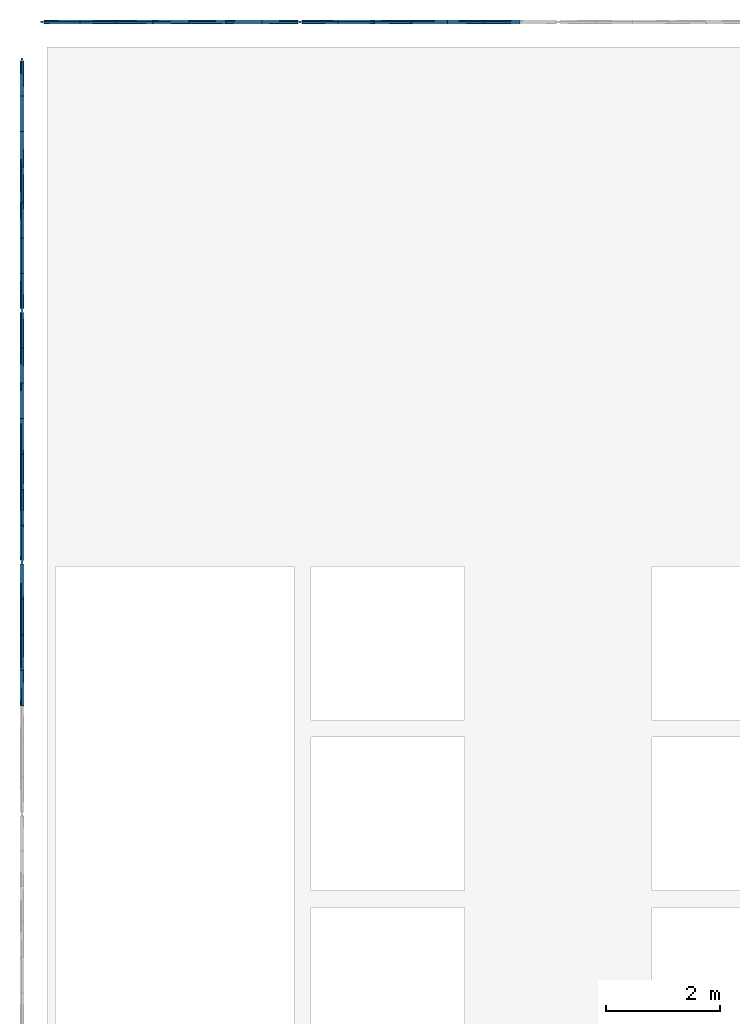
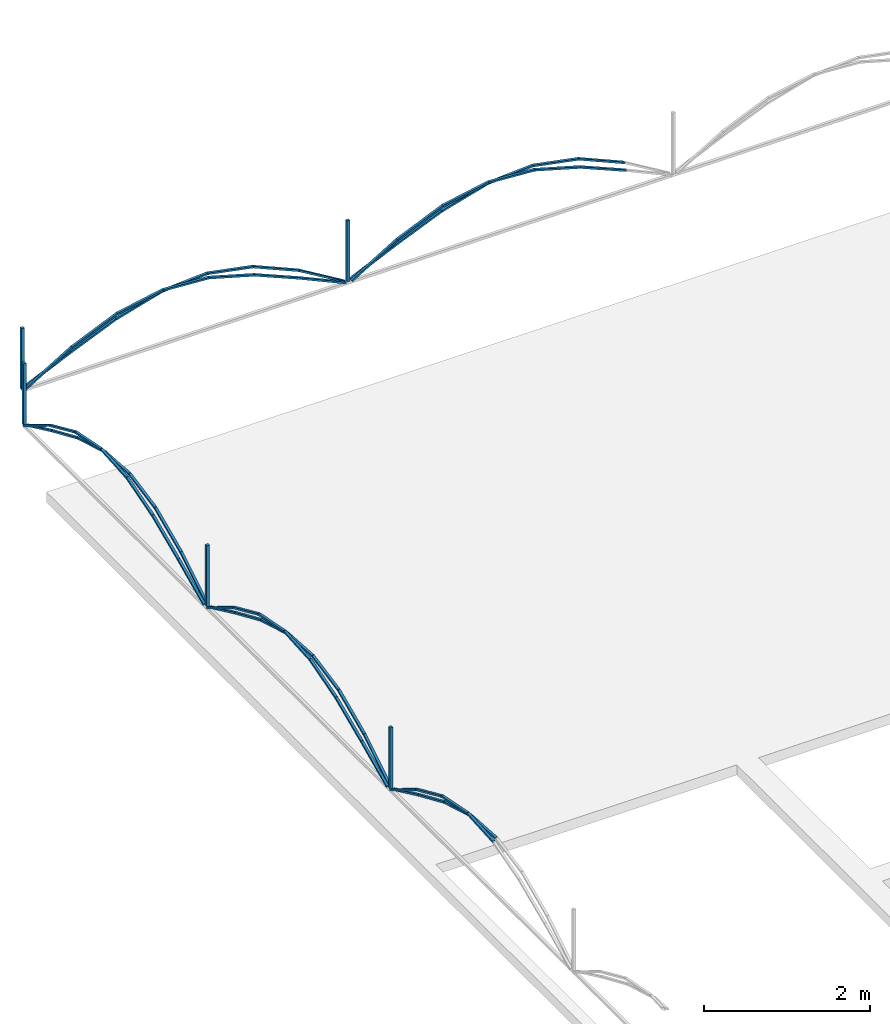
# One storey, part 7 of 9: 67 discrete accessories.
"""IFC4 building model written with IfcOpenShell, lengths in metres."""

from ifc_helpers import new_model, si_unit, direction, frame, origin, origin_2d, place, context, subcontext, project, spatial, rectangle, extrude, material, material_profile, profile_set, type_object, element, save


model = new_model("IFC4")

# Units and contexts
model_context = context("Model", 3, precision=1e-05, world=origin(), true_north=direction((0.0, 1.0)))
body_context = subcontext(model_context, "Body", "Model", "MODEL_VIEW")
ifc_project = project(units=[si_unit("LENGTHUNIT", "METRE"), si_unit("AREAUNIT", "SQUARE_METRE"), si_unit("VOLUMEUNIT", "CUBIC_METRE"), si_unit("PLANEANGLEUNIT", "RADIAN"), si_unit("MASSUNIT", "GRAM", prefix="KILO")], contexts=[model_context])

# Site, building, storey
site_placement = place(None, origin())
site = spatial("IfcSite", under=ifc_project, at=site_placement, CompositionType="ELEMENT")
building_placement = place(site_placement, origin())
building = spatial("IfcBuilding", under=site, at=building_placement, Name="Hortulan Conservatory and Botanical Research Centre", CompositionType="ELEMENT")
storey_placement = place(building_placement, frame((0.0, 0.0, 74.25)))
storey = spatial("IfcBuildingStorey", under=building, at=storey_placement, Name="MAIN ROOF", CompositionType="ELEMENT", Elevation=74.25)

# Discrete accessories
ifc_material = material(Name="Bronze-charcoal painted wrought iron", Category="metal")
ifc_material_profile_1 = material_profile(ifc_material, rectangle(XDim=0.0400390625, YDim=0.0400390625, at=origin_2d()), Name="Square bar 40x40")
ifc_profile_set_1 = profile_set([ifc_material_profile_1], Name="Bronze-charcoal painted wrought iron")
discrete_accessory_type_1 = type_object("IfcDiscreteAccessoryType", Name="Cresting Post 40x40", PredefinedType="USERDEFINED", material=ifc_profile_set_1)
for number, where, z_axis, x_axis, name in (
    (1, (8.56396484375, 17.9287109375, 1.43994140625), (0.0, 0.0, 1.0), (1.0, 0.0, 0.0), "Cresting post"),
    (2, (8.56396484375, 22.357421875, 1.43994140625), (0.0, 0.0, 1.0), (1.0, 0.0, 0.0), "Cresting post"),
    (3, (8.56396484375, 26.785888671875, 1.43994140625), (0.0, 0.0, 1.0), (1.0, 0.0, 0.0), "Cresting post"),
    (4, (8.9140625, 27.43603515625, 1.43994140625), (0.0, 0.0, 1.0), (1.0, 0.0, 0.0), "Cresting post"),
    (5, (13.45703125, 27.43603515625, 1.43994140625), (0.0, 0.0, 1.0), (1.0, 0.0, 0.0), "Cresting post"),
):
    element("IfcDiscreteAccessory", number, at=place(storey_placement, frame(where, z_axis=z_axis, x_axis=x_axis)), inside=storey, type_object=discrete_accessory_type_1, Name=name, ObjectType="Cresting post", PredefinedType="USERDEFINED", context=body_context, shape_type="SweptSolid", body=[
        extrude(rectangle(XDim=0.0400390625, YDim=0.0400390625, at=origin_2d()), origin(), (0.0, 0.0, 1.0), 0.900146484375),
    ])
ifc_material_profile_2 = material_profile(ifc_material, rectangle(XDim=0.034912109375, YDim=0.02490234375, at=origin_2d()), Name="Flat bar 35x25")
ifc_profile_set_2 = profile_set([ifc_material_profile_2], Name="Bronze-charcoal painted wrought iron")
discrete_accessory_type_2 = type_object("IfcDiscreteAccessoryType", Name="Whiplash Bar 35x25", PredefinedType="USERDEFINED", material=ifc_profile_set_2)
discrete_accessory_1_placement = place(storey_placement, frame((8.58154296875, 15.40380859375, 2.22412109375), z_axis=(0.0, 0.997774733056, -0.066675198357), x_axis=(-1.0, 0.0, 0.0)))
element("IfcDiscreteAccessory", 6, at=discrete_accessory_1_placement, inside=storey, type_object=discrete_accessory_type_2, Name="Whiplash bar", ObjectType="Whiplash cresting bar", PredefinedType="USERDEFINED", context=body_context, shape_type="SweptSolid", body=[
    extrude(rectangle(XDim=0.034912109375, YDim=0.02490234375, at=origin_2d()), origin(), (0.0, 0.0, 1.0), 0.62255859375),
])
discrete_accessory_2_placement = place(storey_placement, frame((8.58154296875, 16.02490234375, 2.1826171875), z_axis=(0.0, 0.959623279504, -0.281288395485), x_axis=(-1.0, 0.0, 0.0)))
element("IfcDiscreteAccessory", 7, at=discrete_accessory_2_placement, inside=storey, type_object=discrete_accessory_type_2, Name="Whiplash bar", ObjectType="Whiplash cresting bar", PredefinedType="USERDEFINED", context=body_context, shape_type="SweptSolid", body=[
    extrude(rectangle(XDim=0.034912109375, YDim=0.02490234375, at=origin_2d()), origin(), (0.0, 0.0, 1.0), 0.6474609375),
])
discrete_accessory_3_placement = place(storey_placement, frame((8.58154296875, 16.646240234375, 2.00048828125), z_axis=(0.0, 0.91694967808, -0.399002866995), x_axis=(-1.0, 0.0, 0.0)))
element("IfcDiscreteAccessory", 8, at=discrete_accessory_3_placement, inside=storey, type_object=discrete_accessory_type_2, Name="Whiplash bar", ObjectType="Whiplash cresting bar", PredefinedType="USERDEFINED", context=body_context, shape_type="SweptSolid", body=[
    extrude(rectangle(XDim=0.034912109375, YDim=0.02490234375, at=origin_2d()), origin(), (0.0, 0.0, 1.0), 0.67724609375),
])
discrete_accessory_4_placement = place(storey_placement, frame((8.58154296875, 17.267333984375, 1.730224609375), z_axis=(0.0, 0.906001162141, -0.42327519913), x_axis=(-1.0, 0.0, 0.0)))
element("IfcDiscreteAccessory", 9, at=discrete_accessory_4_placement, inside=storey, type_object=discrete_accessory_type_2, Name="Whiplash bar", ObjectType="Whiplash cresting bar", PredefinedType="USERDEFINED", context=body_context, shape_type="SweptSolid", body=[
    extrude(rectangle(XDim=0.034912109375, YDim=0.02490234375, at=origin_2d()), origin(), (0.0, 0.0, 1.0), 0.685791015625),
])
discrete_accessory_5_placement = place(storey_placement, frame((8.54638671875, 15.40380859375, 2.1826171875), z_axis=(0.0, 0.997774733056, 0.066675198357), x_axis=(-1.0, 0.0, 0.0)))
element("IfcDiscreteAccessory", 10, at=discrete_accessory_5_placement, inside=storey, type_object=discrete_accessory_type_2, Name="Whiplash bar", ObjectType="Whiplash cresting bar", PredefinedType="USERDEFINED", context=body_context, shape_type="SweptSolid", body=[
    extrude(rectangle(XDim=0.034912109375, YDim=0.02490234375, at=origin_2d()), origin(), (0.0, 0.0, 1.0), 0.62255859375),
])
discrete_accessory_6_placement = place(storey_placement, frame((8.54638671875, 16.02490234375, 2.22412109375), z_axis=(0.0, 0.980728609144, -0.195375011723), x_axis=(-1.0, 0.0, 0.0)))
element("IfcDiscreteAccessory", 11, at=discrete_accessory_6_placement, inside=storey, type_object=discrete_accessory_type_2, Name="Whiplash bar", ObjectType="Whiplash cresting bar", PredefinedType="USERDEFINED", context=body_context, shape_type="SweptSolid", body=[
    extrude(rectangle(XDim=0.034912109375, YDim=0.02490234375, at=origin_2d()), origin(), (0.0, 0.0, 1.0), 0.633544921875),
])
discrete_accessory_7_placement = place(storey_placement, frame((8.54638671875, 16.646240234375, 2.100341796875), z_axis=(0.0, 0.913233304192, -0.407437028403), x_axis=(-1.0, 0.0, 0.0)))
element("IfcDiscreteAccessory", 12, at=discrete_accessory_7_placement, inside=storey, type_object=discrete_accessory_type_2, Name="Whiplash bar", ObjectType="Whiplash cresting bar", PredefinedType="USERDEFINED", context=body_context, shape_type="SweptSolid", body=[
    extrude(rectangle(XDim=0.034912109375, YDim=0.02490234375, at=origin_2d()), origin(), (0.0, 0.0, 1.0), 0.68017578125),
])
discrete_accessory_8_placement = place(storey_placement, frame((8.54638671875, 17.267333984375, 1.8232421875), z_axis=(0.0, 0.851083704405, -0.5250300259), x_axis=(-1.0, 0.0, 0.0)))
element("IfcDiscreteAccessory", 13, at=discrete_accessory_8_placement, inside=storey, type_object=discrete_accessory_type_2, Name="Whiplash bar", ObjectType="Whiplash cresting bar", PredefinedType="USERDEFINED", context=body_context, shape_type="SweptSolid", body=[
    extrude(rectangle(XDim=0.034912109375, YDim=0.02490234375, at=origin_2d()), origin(), (0.0, 0.0, 1.0), 0.72998046875),
])
discrete_accessory_9_placement = place(storey_placement, frame((8.58154296875, 17.96875, 1.43994140625), z_axis=(0.0, 0.850991481626, 0.525179491412), x_axis=(-1.0, 0.0, 0.0)))
element("IfcDiscreteAccessory", 14, at=discrete_accessory_9_placement, inside=storey, type_object=discrete_accessory_type_2, Name="Whiplash bar", ObjectType="Whiplash cresting bar", PredefinedType="USERDEFINED", context=body_context, shape_type="SweptSolid", body=[
    extrude(rectangle(XDim=0.034912109375, YDim=0.02490234375, at=origin_2d()), origin(), (0.0, 0.0, 1.0), 0.729736328125),
])
discrete_accessory_10_placement = place(storey_placement, frame((8.58154296875, 18.58984375, 1.8232421875), z_axis=(0.0, 0.91329286658, 0.407303498455), x_axis=(-1.0, 0.0, 0.0)))
element("IfcDiscreteAccessory", 15, at=discrete_accessory_10_placement, inside=storey, type_object=discrete_accessory_type_2, Name="Whiplash bar", ObjectType="Whiplash cresting bar", PredefinedType="USERDEFINED", context=body_context, shape_type="SweptSolid", body=[
    extrude(rectangle(XDim=0.034912109375, YDim=0.02490234375, at=origin_2d()), origin(), (0.0, 0.0, 1.0), 0.680419921875),
])
discrete_accessory_11_placement = place(storey_placement, frame((8.58154296875, 19.211181640625, 2.100341796875), z_axis=(0.0, 0.980728609144, 0.195375011723), x_axis=(-1.0, 0.0, 0.0)))
element("IfcDiscreteAccessory", 16, at=discrete_accessory_11_placement, inside=storey, type_object=discrete_accessory_type_2, Name="Whiplash bar", ObjectType="Whiplash cresting bar", PredefinedType="USERDEFINED", context=body_context, shape_type="SweptSolid", body=[
    extrude(rectangle(XDim=0.034912109375, YDim=0.02490234375, at=origin_2d()), origin(), (0.0, 0.0, 1.0), 0.633544921875),
])
discrete_accessory_12_placement = place(storey_placement, frame((8.58154296875, 19.83251953125, 2.22412109375), z_axis=(0.0, 0.997774733056, -0.066675198357), x_axis=(-1.0, 0.0, 0.0)))
element("IfcDiscreteAccessory", 17, at=discrete_accessory_12_placement, inside=storey, type_object=discrete_accessory_type_2, Name="Whiplash bar", ObjectType="Whiplash cresting bar", PredefinedType="USERDEFINED", context=body_context, shape_type="SweptSolid", body=[
    extrude(rectangle(XDim=0.034912109375, YDim=0.02490234375, at=origin_2d()), origin(), (0.0, 0.0, 1.0), 0.62255859375),
])
discrete_accessory_13_placement = place(storey_placement, frame((8.58154296875, 20.45361328125, 2.1826171875), z_axis=(0.0, 0.959623279504, -0.281288395485), x_axis=(-1.0, 0.0, 0.0)))
element("IfcDiscreteAccessory", 18, at=discrete_accessory_13_placement, inside=storey, type_object=discrete_accessory_type_2, Name="Whiplash bar", ObjectType="Whiplash cresting bar", PredefinedType="USERDEFINED", context=body_context, shape_type="SweptSolid", body=[
    extrude(rectangle(XDim=0.034912109375, YDim=0.02490234375, at=origin_2d()), origin(), (0.0, 0.0, 1.0), 0.6474609375),
])
discrete_accessory_14_placement = place(storey_placement, frame((8.58154296875, 21.074951171875, 2.00048828125), z_axis=(0.0, 0.91694967808, -0.399002866995), x_axis=(-1.0, 0.0, 0.0)))
element("IfcDiscreteAccessory", 19, at=discrete_accessory_14_placement, inside=storey, type_object=discrete_accessory_type_2, Name="Whiplash bar", ObjectType="Whiplash cresting bar", PredefinedType="USERDEFINED", context=body_context, shape_type="SweptSolid", body=[
    extrude(rectangle(XDim=0.034912109375, YDim=0.02490234375, at=origin_2d()), origin(), (0.0, 0.0, 1.0), 0.67724609375),
])
discrete_accessory_15_placement = place(storey_placement, frame((8.58154296875, 21.696044921875, 1.730224609375), z_axis=(0.0, 0.906001162141, -0.42327519913), x_axis=(-1.0, 0.0, 0.0)))
element("IfcDiscreteAccessory", 20, at=discrete_accessory_15_placement, inside=storey, type_object=discrete_accessory_type_2, Name="Whiplash bar", ObjectType="Whiplash cresting bar", PredefinedType="USERDEFINED", context=body_context, shape_type="SweptSolid", body=[
    extrude(rectangle(XDim=0.034912109375, YDim=0.02490234375, at=origin_2d()), origin(), (0.0, 0.0, 1.0), 0.685791015625),
])
discrete_accessory_16_placement = place(storey_placement, frame((8.54638671875, 17.96875, 1.43994140625), z_axis=(0.0, 0.905937350964, 0.423411757192), x_axis=(-1.0, 0.0, 0.0)))
element("IfcDiscreteAccessory", 21, at=discrete_accessory_16_placement, inside=storey, type_object=discrete_accessory_type_2, Name="Whiplash bar", ObjectType="Whiplash cresting bar", PredefinedType="USERDEFINED", context=body_context, shape_type="SweptSolid", body=[
    extrude(rectangle(XDim=0.034912109375, YDim=0.02490234375, at=origin_2d()), origin(), (0.0, 0.0, 1.0), 0.685546875),
])
discrete_accessory_17_placement = place(storey_placement, frame((8.54638671875, 18.58984375, 1.730224609375), z_axis=(0.0, 0.917007032271, 0.398871035255), x_axis=(-1.0, 0.0, 0.0)))
element("IfcDiscreteAccessory", 22, at=discrete_accessory_17_placement, inside=storey, type_object=discrete_accessory_type_2, Name="Whiplash bar", ObjectType="Whiplash cresting bar", PredefinedType="USERDEFINED", context=body_context, shape_type="SweptSolid", body=[
    extrude(rectangle(XDim=0.034912109375, YDim=0.02490234375, at=origin_2d()), origin(), (0.0, 0.0, 1.0), 0.677490234375),
])
discrete_accessory_18_placement = place(storey_placement, frame((8.54638671875, 19.211181640625, 2.00048828125), z_axis=(0.0, 0.959623279504, 0.281288395485), x_axis=(-1.0, 0.0, 0.0)))
element("IfcDiscreteAccessory", 23, at=discrete_accessory_18_placement, inside=storey, type_object=discrete_accessory_type_2, Name="Whiplash bar", ObjectType="Whiplash cresting bar", PredefinedType="USERDEFINED", context=body_context, shape_type="SweptSolid", body=[
    extrude(rectangle(XDim=0.034912109375, YDim=0.02490234375, at=origin_2d()), origin(), (0.0, 0.0, 1.0), 0.6474609375),
])
discrete_accessory_19_placement = place(storey_placement, frame((8.54638671875, 19.83251953125, 2.1826171875), z_axis=(0.0, 0.997774733056, 0.066675198357), x_axis=(-1.0, 0.0, 0.0)))
element("IfcDiscreteAccessory", 24, at=discrete_accessory_19_placement, inside=storey, type_object=discrete_accessory_type_2, Name="Whiplash bar", ObjectType="Whiplash cresting bar", PredefinedType="USERDEFINED", context=body_context, shape_type="SweptSolid", body=[
    extrude(rectangle(XDim=0.034912109375, YDim=0.02490234375, at=origin_2d()), origin(), (0.0, 0.0, 1.0), 0.62255859375),
])
discrete_accessory_20_placement = place(storey_placement, frame((8.54638671875, 20.45361328125, 2.22412109375), z_axis=(0.0, 0.980728609144, -0.195375011723), x_axis=(-1.0, 0.0, 0.0)))
element("IfcDiscreteAccessory", 25, at=discrete_accessory_20_placement, inside=storey, type_object=discrete_accessory_type_2, Name="Whiplash bar", ObjectType="Whiplash cresting bar", PredefinedType="USERDEFINED", context=body_context, shape_type="SweptSolid", body=[
    extrude(rectangle(XDim=0.034912109375, YDim=0.02490234375, at=origin_2d()), origin(), (0.0, 0.0, 1.0), 0.633544921875),
])
discrete_accessory_21_placement = place(storey_placement, frame((8.54638671875, 21.074951171875, 2.100341796875), z_axis=(0.0, 0.913233304192, -0.407437028403), x_axis=(-1.0, 0.0, 0.0)))
element("IfcDiscreteAccessory", 26, at=discrete_accessory_21_placement, inside=storey, type_object=discrete_accessory_type_2, Name="Whiplash bar", ObjectType="Whiplash cresting bar", PredefinedType="USERDEFINED", context=body_context, shape_type="SweptSolid", body=[
    extrude(rectangle(XDim=0.034912109375, YDim=0.02490234375, at=origin_2d()), origin(), (0.0, 0.0, 1.0), 0.68017578125),
])
for number, where, z_axis, x_axis, name in (
    (27, (8.54638671875, 21.696044921875, 1.8232421875), (0.0, 0.851083704405, -0.5250300259), (-1.0, 0.0, 0.0), "Whiplash bar"),
    (28, (8.58154296875, 22.397216796875, 1.43994140625), (0.0, 0.851083704405, 0.5250300259), (-1.0, 0.0, 0.0), "Whiplash bar"),
):
    element("IfcDiscreteAccessory", number, at=place(storey_placement, frame(where, z_axis=z_axis, x_axis=x_axis)), inside=storey, type_object=discrete_accessory_type_2, Name=name, ObjectType="Whiplash cresting bar", PredefinedType="USERDEFINED", context=body_context, shape_type="SweptSolid", body=[
        extrude(rectangle(XDim=0.034912109375, YDim=0.02490234375, at=origin_2d()), origin(), (0.0, 0.0, 1.0), 0.72998046875),
    ])
discrete_accessory_22_placement = place(storey_placement, frame((8.58154296875, 23.0185546875, 1.8232421875), z_axis=(0.0, 0.91329286658, 0.407303498455), x_axis=(-1.0, 0.0, 0.0)))
element("IfcDiscreteAccessory", 29, at=discrete_accessory_22_placement, inside=storey, type_object=discrete_accessory_type_2, Name="Whiplash bar", ObjectType="Whiplash cresting bar", PredefinedType="USERDEFINED", context=body_context, shape_type="SweptSolid", body=[
    extrude(rectangle(XDim=0.034912109375, YDim=0.02490234375, at=origin_2d()), origin(), (0.0, 0.0, 1.0), 0.680419921875),
])
discrete_accessory_23_placement = place(storey_placement, frame((8.58154296875, 23.639892578125, 2.100341796875), z_axis=(0.0, 0.980713891261, 0.195448876914), x_axis=(-1.0, 0.0, 0.0)))
element("IfcDiscreteAccessory", 30, at=discrete_accessory_23_placement, inside=storey, type_object=discrete_accessory_type_2, Name="Whiplash bar", ObjectType="Whiplash cresting bar", PredefinedType="USERDEFINED", context=body_context, shape_type="SweptSolid", body=[
    extrude(rectangle(XDim=0.034912109375, YDim=0.02490234375, at=origin_2d()), origin(), (0.0, 0.0, 1.0), 0.63330078125),
])
discrete_accessory_24_placement = place(storey_placement, frame((8.58154296875, 24.260986328125, 2.22412109375), z_axis=(0.0, 0.997776475621, -0.06664911625), x_axis=(-1.0, 0.0, 0.0)))
element("IfcDiscreteAccessory", 31, at=discrete_accessory_24_placement, inside=storey, type_object=discrete_accessory_type_2, Name="Whiplash bar", ObjectType="Whiplash cresting bar", PredefinedType="USERDEFINED", context=body_context, shape_type="SweptSolid", body=[
    extrude(rectangle(XDim=0.034912109375, YDim=0.02490234375, at=origin_2d()), origin(), (0.0, 0.0, 1.0), 0.622802734375),
])
discrete_accessory_25_placement = place(storey_placement, frame((8.58154296875, 24.88232421875, 2.1826171875), z_axis=(0.0, 0.959593428951, -0.281390211477), x_axis=(-1.0, 0.0, 0.0)))
element("IfcDiscreteAccessory", 32, at=discrete_accessory_25_placement, inside=storey, type_object=discrete_accessory_type_2, Name="Whiplash bar", ObjectType="Whiplash cresting bar", PredefinedType="USERDEFINED", context=body_context, shape_type="SweptSolid", body=[
    extrude(rectangle(XDim=0.034912109375, YDim=0.02490234375, at=origin_2d()), origin(), (0.0, 0.0, 1.0), 0.647216796875),
])
discrete_accessory_26_placement = place(storey_placement, frame((8.58154296875, 25.50341796875, 2.00048828125), z_axis=(0.0, 0.917007032271, -0.398871035255), x_axis=(-1.0, 0.0, 0.0)))
element("IfcDiscreteAccessory", 33, at=discrete_accessory_26_placement, inside=storey, type_object=discrete_accessory_type_2, Name="Whiplash bar", ObjectType="Whiplash cresting bar", PredefinedType="USERDEFINED", context=body_context, shape_type="SweptSolid", body=[
    extrude(rectangle(XDim=0.034912109375, YDim=0.02490234375, at=origin_2d()), origin(), (0.0, 0.0, 1.0), 0.677490234375),
])
for number, where, z_axis, x_axis, name in (
    (34, (8.58154296875, 26.124755859375, 1.730224609375), (0.0, 0.906001162141, -0.42327519913), (-1.0, 0.0, 0.0), "Whiplash bar"),
    (35, (8.54638671875, 22.397216796875, 1.43994140625), (0.0, 0.906001162141, 0.42327519913), (-1.0, 0.0, 0.0), "Whiplash bar"),
):
    element("IfcDiscreteAccessory", number, at=place(storey_placement, frame(where, z_axis=z_axis, x_axis=x_axis)), inside=storey, type_object=discrete_accessory_type_2, Name=name, ObjectType="Whiplash cresting bar", PredefinedType="USERDEFINED", context=body_context, shape_type="SweptSolid", body=[
        extrude(rectangle(XDim=0.034912109375, YDim=0.02490234375, at=origin_2d()), origin(), (0.0, 0.0, 1.0), 0.685791015625),
    ])
discrete_accessory_27_placement = place(storey_placement, frame((8.54638671875, 23.0185546875, 1.730224609375), z_axis=(0.0, 0.917007032271, 0.398871035255), x_axis=(-1.0, 0.0, 0.0)))
element("IfcDiscreteAccessory", 36, at=discrete_accessory_27_placement, inside=storey, type_object=discrete_accessory_type_2, Name="Whiplash bar", ObjectType="Whiplash cresting bar", PredefinedType="USERDEFINED", context=body_context, shape_type="SweptSolid", body=[
    extrude(rectangle(XDim=0.034912109375, YDim=0.02490234375, at=origin_2d()), origin(), (0.0, 0.0, 1.0), 0.677490234375),
])
discrete_accessory_28_placement = place(storey_placement, frame((8.54638671875, 23.639892578125, 2.00048828125), z_axis=(0.0, 0.959593428951, 0.281390211477), x_axis=(-1.0, 0.0, 0.0)))
element("IfcDiscreteAccessory", 37, at=discrete_accessory_28_placement, inside=storey, type_object=discrete_accessory_type_2, Name="Whiplash bar", ObjectType="Whiplash cresting bar", PredefinedType="USERDEFINED", context=body_context, shape_type="SweptSolid", body=[
    extrude(rectangle(XDim=0.034912109375, YDim=0.02490234375, at=origin_2d()), origin(), (0.0, 0.0, 1.0), 0.647216796875),
])
discrete_accessory_29_placement = place(storey_placement, frame((8.54638671875, 24.260986328125, 2.1826171875), z_axis=(0.0, 0.997776475621, 0.06664911625), x_axis=(-1.0, 0.0, 0.0)))
element("IfcDiscreteAccessory", 38, at=discrete_accessory_29_placement, inside=storey, type_object=discrete_accessory_type_2, Name="Whiplash bar", ObjectType="Whiplash cresting bar", PredefinedType="USERDEFINED", context=body_context, shape_type="SweptSolid", body=[
    extrude(rectangle(XDim=0.034912109375, YDim=0.02490234375, at=origin_2d()), origin(), (0.0, 0.0, 1.0), 0.622802734375),
])
discrete_accessory_30_placement = place(storey_placement, frame((8.54638671875, 24.88232421875, 2.22412109375), z_axis=(0.0, 0.980713891261, -0.195448876914), x_axis=(-1.0, 0.0, 0.0)))
element("IfcDiscreteAccessory", 39, at=discrete_accessory_30_placement, inside=storey, type_object=discrete_accessory_type_2, Name="Whiplash bar", ObjectType="Whiplash cresting bar", PredefinedType="USERDEFINED", context=body_context, shape_type="SweptSolid", body=[
    extrude(rectangle(XDim=0.034912109375, YDim=0.02490234375, at=origin_2d()), origin(), (0.0, 0.0, 1.0), 0.63330078125),
])
discrete_accessory_31_placement = place(storey_placement, frame((8.54638671875, 25.50341796875, 2.100341796875), z_axis=(0.0, 0.91329286658, -0.407303498455), x_axis=(-1.0, 0.0, 0.0)))
element("IfcDiscreteAccessory", 40, at=discrete_accessory_31_placement, inside=storey, type_object=discrete_accessory_type_2, Name="Whiplash bar", ObjectType="Whiplash cresting bar", PredefinedType="USERDEFINED", context=body_context, shape_type="SweptSolid", body=[
    extrude(rectangle(XDim=0.034912109375, YDim=0.02490234375, at=origin_2d()), origin(), (0.0, 0.0, 1.0), 0.680419921875),
])
discrete_accessory_32_placement = place(storey_placement, frame((8.54638671875, 26.124755859375, 1.8232421875), z_axis=(0.0, 0.851083704405, -0.5250300259), x_axis=(-1.0, 0.0, 0.0)))
element("IfcDiscreteAccessory", 41, at=discrete_accessory_32_placement, inside=storey, type_object=discrete_accessory_type_2, Name="Whiplash bar", ObjectType="Whiplash cresting bar", PredefinedType="USERDEFINED", context=body_context, shape_type="SweptSolid", body=[
    extrude(rectangle(XDim=0.034912109375, YDim=0.02490234375, at=origin_2d()), origin(), (0.0, 0.0, 1.0), 0.72998046875),
])
discrete_accessory_33_placement = place(storey_placement, frame((8.9541015625, 27.41845703125, 1.43994140625), z_axis=(0.857000192886, 0.0, 0.515316086875), x_axis=(0.0, 1.0, 0.0)))
element("IfcDiscreteAccessory", 42, at=discrete_accessory_33_placement, inside=storey, type_object=discrete_accessory_type_2, Name="Whiplash bar", ObjectType="Whiplash cresting bar", PredefinedType="USERDEFINED", context=body_context, shape_type="SweptSolid", body=[
    extrude(rectangle(XDim=0.034912109375, YDim=0.02490234375, at=origin_2d()), origin(), (0.0, 0.0, 1.0), 0.743896484375),
])
discrete_accessory_34_placement = place(storey_placement, frame((9.591552734375, 27.41845703125, 1.8232421875), z_axis=(0.917097974828, 0.0, 0.398661892543), x_axis=(0.0, 1.0, 0.0)))
element("IfcDiscreteAccessory", 43, at=discrete_accessory_34_placement, inside=storey, type_object=discrete_accessory_type_2, Name="Whiplash bar", ObjectType="Whiplash cresting bar", PredefinedType="USERDEFINED", context=body_context, shape_type="SweptSolid", body=[
    extrude(rectangle(XDim=0.034912109375, YDim=0.02490234375, at=origin_2d()), origin(), (0.0, 0.0, 1.0), 0.695068359375),
])
discrete_accessory_35_placement = place(storey_placement, frame((10.22900390625, 27.41845703125, 2.100341796875), z_axis=(0.981677929285, 0.0, 0.190547745079), x_axis=(0.0, 1.0, 0.0)))
element("IfcDiscreteAccessory", 44, at=discrete_accessory_35_placement, inside=storey, type_object=discrete_accessory_type_2, Name="Whiplash bar", ObjectType="Whiplash cresting bar", PredefinedType="USERDEFINED", context=body_context, shape_type="SweptSolid", body=[
    extrude(rectangle(XDim=0.034912109375, YDim=0.02490234375, at=origin_2d()), origin(), (0.0, 0.0, 1.0), 0.649658203125),
])
discrete_accessory_36_placement = place(storey_placement, frame((10.86669921875, 27.41845703125, 2.22412109375), z_axis=(0.997888726804, 0.0, -0.064946816063), x_axis=(0.0, 1.0, 0.0)))
element("IfcDiscreteAccessory", 45, at=discrete_accessory_36_placement, inside=storey, type_object=discrete_accessory_type_2, Name="Whiplash bar", ObjectType="Whiplash cresting bar", PredefinedType="USERDEFINED", context=body_context, shape_type="SweptSolid", body=[
    extrude(rectangle(XDim=0.034912109375, YDim=0.02490234375, at=origin_2d()), origin(), (0.0, 0.0, 1.0), 0.63916015625),
])
discrete_accessory_37_placement = place(storey_placement, frame((11.50439453125, 27.41845703125, 2.1826171875), z_axis=(0.961523947641, 0.0, -0.274721127897), x_axis=(0.0, 1.0, 0.0)))
element("IfcDiscreteAccessory", 46, at=discrete_accessory_37_placement, inside=storey, type_object=discrete_accessory_type_2, Name="Whiplash bar", ObjectType="Whiplash cresting bar", PredefinedType="USERDEFINED", context=body_context, shape_type="SweptSolid", body=[
    extrude(rectangle(XDim=0.034912109375, YDim=0.02490234375, at=origin_2d()), origin(), (0.0, 0.0, 1.0), 0.662841796875),
])
discrete_accessory_38_placement = place(storey_placement, frame((12.141845703125, 27.41845703125, 2.00048828125), z_axis=(0.920670117137, 0.0, -0.390341562494), x_axis=(0.0, 1.0, 0.0)))
element("IfcDiscreteAccessory", 47, at=discrete_accessory_38_placement, inside=storey, type_object=discrete_accessory_type_2, Name="Whiplash bar", ObjectType="Whiplash cresting bar", PredefinedType="USERDEFINED", context=body_context, shape_type="SweptSolid", body=[
    extrude(rectangle(XDim=0.034912109375, YDim=0.02490234375, at=origin_2d()), origin(), (0.0, 0.0, 1.0), 0.6923828125),
])
discrete_accessory_39_placement = place(storey_placement, frame((12.779296875, 27.41845703125, 1.730224609375), z_axis=(0.910139612584, 0.0, -0.414301684289), x_axis=(0.0, 1.0, 0.0)))
element("IfcDiscreteAccessory", 48, at=discrete_accessory_39_placement, inside=storey, type_object=discrete_accessory_type_2, Name="Whiplash bar", ObjectType="Whiplash cresting bar", PredefinedType="USERDEFINED", context=body_context, shape_type="SweptSolid", body=[
    extrude(rectangle(XDim=0.034912109375, YDim=0.02490234375, at=origin_2d()), origin(), (0.0, 0.0, 1.0), 0.70068359375),
])
discrete_accessory_40_placement = place(storey_placement, frame((8.9541015625, 27.45361328125, 1.43994140625), z_axis=(0.910079774887, 0.0, 0.414433110816), x_axis=(0.0, 1.0, 0.0)))
element("IfcDiscreteAccessory", 49, at=discrete_accessory_40_placement, inside=storey, type_object=discrete_accessory_type_2, Name="Whiplash bar", ObjectType="Whiplash cresting bar", PredefinedType="USERDEFINED", context=body_context, shape_type="SweptSolid", body=[
    extrude(rectangle(XDim=0.034912109375, YDim=0.02490234375, at=origin_2d()), origin(), (0.0, 0.0, 1.0), 0.700439453125),
])
discrete_accessory_41_placement = place(storey_placement, frame((9.591552734375, 27.45361328125, 1.730224609375), z_axis=(0.920670117137, 0.0, 0.390341562494), x_axis=(0.0, 1.0, 0.0)))
element("IfcDiscreteAccessory", 50, at=discrete_accessory_41_placement, inside=storey, type_object=discrete_accessory_type_2, Name="Whiplash bar", ObjectType="Whiplash cresting bar", PredefinedType="USERDEFINED", context=body_context, shape_type="SweptSolid", body=[
    extrude(rectangle(XDim=0.034912109375, YDim=0.02490234375, at=origin_2d()), origin(), (0.0, 0.0, 1.0), 0.6923828125),
])
discrete_accessory_42_placement = place(storey_placement, frame((10.22900390625, 27.45361328125, 2.00048828125), z_axis=(0.961551726009, 0.0, 0.274623884993), x_axis=(0.0, 1.0, 0.0)))
element("IfcDiscreteAccessory", 51, at=discrete_accessory_42_placement, inside=storey, type_object=discrete_accessory_type_2, Name="Whiplash bar", ObjectType="Whiplash cresting bar", PredefinedType="USERDEFINED", context=body_context, shape_type="SweptSolid", body=[
    extrude(rectangle(XDim=0.034912109375, YDim=0.02490234375, at=origin_2d()), origin(), (0.0, 0.0, 1.0), 0.6630859375),
])
discrete_accessory_43_placement = place(storey_placement, frame((10.86669921875, 27.45361328125, 2.1826171875), z_axis=(0.997888726804, 0.0, 0.064946816063), x_axis=(0.0, 1.0, 0.0)))
element("IfcDiscreteAccessory", 52, at=discrete_accessory_43_placement, inside=storey, type_object=discrete_accessory_type_2, Name="Whiplash bar", ObjectType="Whiplash cresting bar", PredefinedType="USERDEFINED", context=body_context, shape_type="SweptSolid", body=[
    extrude(rectangle(XDim=0.034912109375, YDim=0.02490234375, at=origin_2d()), origin(), (0.0, 0.0, 1.0), 0.63916015625),
])
discrete_accessory_44_placement = place(storey_placement, frame((11.50439453125, 27.45361328125, 2.22412109375), z_axis=(0.981664275789, 0.0, -0.190618072702), x_axis=(0.0, 1.0, 0.0)))
element("IfcDiscreteAccessory", 53, at=discrete_accessory_44_placement, inside=storey, type_object=discrete_accessory_type_2, Name="Whiplash bar", ObjectType="Whiplash cresting bar", PredefinedType="USERDEFINED", context=body_context, shape_type="SweptSolid", body=[
    extrude(rectangle(XDim=0.034912109375, YDim=0.02490234375, at=origin_2d()), origin(), (0.0, 0.0, 1.0), 0.6494140625),
])
discrete_accessory_45_placement = place(storey_placement, frame((12.141845703125, 27.45361328125, 2.100341796875), z_axis=(0.917097974828, 0.0, -0.398661892543), x_axis=(0.0, 1.0, 0.0)))
element("IfcDiscreteAccessory", 54, at=discrete_accessory_45_placement, inside=storey, type_object=discrete_accessory_type_2, Name="Whiplash bar", ObjectType="Whiplash cresting bar", PredefinedType="USERDEFINED", context=body_context, shape_type="SweptSolid", body=[
    extrude(rectangle(XDim=0.034912109375, YDim=0.02490234375, at=origin_2d()), origin(), (0.0, 0.0, 1.0), 0.695068359375),
])
discrete_accessory_46_placement = place(storey_placement, frame((12.779296875, 27.45361328125, 1.8232421875), z_axis=(0.857087316971, 0.0, -0.515171166786), x_axis=(0.0, 1.0, 0.0)))
element("IfcDiscreteAccessory", 55, at=discrete_accessory_46_placement, inside=storey, type_object=discrete_accessory_type_2, Name="Whiplash bar", ObjectType="Whiplash cresting bar", PredefinedType="USERDEFINED", context=body_context, shape_type="SweptSolid", body=[
    extrude(rectangle(XDim=0.034912109375, YDim=0.02490234375, at=origin_2d()), origin(), (0.0, 0.0, 1.0), 0.744140625),
])
discrete_accessory_47_placement = place(storey_placement, frame((13.4970703125, 27.41845703125, 1.43994140625), z_axis=(0.857000192886, 0.0, 0.515316086875), x_axis=(0.0, 1.0, 0.0)))
element("IfcDiscreteAccessory", 56, at=discrete_accessory_47_placement, inside=storey, type_object=discrete_accessory_type_2, Name="Whiplash bar", ObjectType="Whiplash cresting bar", PredefinedType="USERDEFINED", context=body_context, shape_type="SweptSolid", body=[
    extrude(rectangle(XDim=0.034912109375, YDim=0.02490234375, at=origin_2d()), origin(), (0.0, 0.0, 1.0), 0.743896484375),
])
discrete_accessory_48_placement = place(storey_placement, frame((14.134521484375, 27.41845703125, 1.8232421875), z_axis=(0.917153771526, 0.0, 0.398533510981), x_axis=(0.0, 1.0, 0.0)))
element("IfcDiscreteAccessory", 57, at=discrete_accessory_48_placement, inside=storey, type_object=discrete_accessory_type_2, Name="Whiplash bar", ObjectType="Whiplash cresting bar", PredefinedType="USERDEFINED", context=body_context, shape_type="SweptSolid", body=[
    extrude(rectangle(XDim=0.034912109375, YDim=0.02490234375, at=origin_2d()), origin(), (0.0, 0.0, 1.0), 0.6953125),
])
discrete_accessory_49_placement = place(storey_placement, frame((14.772216796875, 27.41845703125, 2.100341796875), z_axis=(0.981664275789, 0.0, 0.190618072702), x_axis=(0.0, 1.0, 0.0)))
element("IfcDiscreteAccessory", 58, at=discrete_accessory_49_placement, inside=storey, type_object=discrete_accessory_type_2, Name="Whiplash bar", ObjectType="Whiplash cresting bar", PredefinedType="USERDEFINED", context=body_context, shape_type="SweptSolid", body=[
    extrude(rectangle(XDim=0.034912109375, YDim=0.02490234375, at=origin_2d()), origin(), (0.0, 0.0, 1.0), 0.6494140625),
])
discrete_accessory_50_placement = place(storey_placement, frame((15.40966796875, 27.41845703125, 2.22412109375), z_axis=(0.997888726804, 0.0, -0.064946816063), x_axis=(0.0, 1.0, 0.0)))
element("IfcDiscreteAccessory", 59, at=discrete_accessory_50_placement, inside=storey, type_object=discrete_accessory_type_2, Name="Whiplash bar", ObjectType="Whiplash cresting bar", PredefinedType="USERDEFINED", context=body_context, shape_type="SweptSolid", body=[
    extrude(rectangle(XDim=0.034912109375, YDim=0.02490234375, at=origin_2d()), origin(), (0.0, 0.0, 1.0), 0.63916015625),
])
discrete_accessory_51_placement = place(storey_placement, frame((16.04736328125, 27.41845703125, 2.1826171875), z_axis=(0.961523947641, 0.0, -0.274721127897), x_axis=(0.0, 1.0, 0.0)))
element("IfcDiscreteAccessory", 60, at=discrete_accessory_51_placement, inside=storey, type_object=discrete_accessory_type_2, Name="Whiplash bar", ObjectType="Whiplash cresting bar", PredefinedType="USERDEFINED", context=body_context, shape_type="SweptSolid", body=[
    extrude(rectangle(XDim=0.034912109375, YDim=0.02490234375, at=origin_2d()), origin(), (0.0, 0.0, 1.0), 0.662841796875),
])
discrete_accessory_52_placement = place(storey_placement, frame((16.684814453125, 27.41845703125, 2.00048828125), z_axis=(0.920723817265, 0.0, -0.390214879676), x_axis=(0.0, 1.0, 0.0)))
element("IfcDiscreteAccessory", 61, at=discrete_accessory_52_placement, inside=storey, type_object=discrete_accessory_type_2, Name="Whiplash bar", ObjectType="Whiplash cresting bar", PredefinedType="USERDEFINED", context=body_context, shape_type="SweptSolid", body=[
    extrude(rectangle(XDim=0.034912109375, YDim=0.02490234375, at=origin_2d()), origin(), (0.0, 0.0, 1.0), 0.692626953125),
])
discrete_accessory_53_placement = place(storey_placement, frame((13.4970703125, 27.45361328125, 1.43994140625), z_axis=(0.910079774887, 0.0, 0.414433110816), x_axis=(0.0, 1.0, 0.0)))
element("IfcDiscreteAccessory", 62, at=discrete_accessory_53_placement, inside=storey, type_object=discrete_accessory_type_2, Name="Whiplash bar", ObjectType="Whiplash cresting bar", PredefinedType="USERDEFINED", context=body_context, shape_type="SweptSolid", body=[
    extrude(rectangle(XDim=0.034912109375, YDim=0.02490234375, at=origin_2d()), origin(), (0.0, 0.0, 1.0), 0.700439453125),
])
discrete_accessory_54_placement = place(storey_placement, frame((14.134521484375, 27.45361328125, 1.730224609375), z_axis=(0.920723817265, 0.0, 0.390214879676), x_axis=(0.0, 1.0, 0.0)))
element("IfcDiscreteAccessory", 63, at=discrete_accessory_54_placement, inside=storey, type_object=discrete_accessory_type_2, Name="Whiplash bar", ObjectType="Whiplash cresting bar", PredefinedType="USERDEFINED", context=body_context, shape_type="SweptSolid", body=[
    extrude(rectangle(XDim=0.034912109375, YDim=0.02490234375, at=origin_2d()), origin(), (0.0, 0.0, 1.0), 0.692626953125),
])
discrete_accessory_55_placement = place(storey_placement, frame((14.772216796875, 27.45361328125, 2.00048828125), z_axis=(0.961523947641, 0.0, 0.274721127897), x_axis=(0.0, 1.0, 0.0)))
element("IfcDiscreteAccessory", 64, at=discrete_accessory_55_placement, inside=storey, type_object=discrete_accessory_type_2, Name="Whiplash bar", ObjectType="Whiplash cresting bar", PredefinedType="USERDEFINED", context=body_context, shape_type="SweptSolid", body=[
    extrude(rectangle(XDim=0.034912109375, YDim=0.02490234375, at=origin_2d()), origin(), (0.0, 0.0, 1.0), 0.662841796875),
])
discrete_accessory_56_placement = place(storey_placement, frame((15.40966796875, 27.45361328125, 2.1826171875), z_axis=(0.997888726804, 0.0, 0.064946816063), x_axis=(0.0, 1.0, 0.0)))
element("IfcDiscreteAccessory", 65, at=discrete_accessory_56_placement, inside=storey, type_object=discrete_accessory_type_2, Name="Whiplash bar", ObjectType="Whiplash cresting bar", PredefinedType="USERDEFINED", context=body_context, shape_type="SweptSolid", body=[
    extrude(rectangle(XDim=0.034912109375, YDim=0.02490234375, at=origin_2d()), origin(), (0.0, 0.0, 1.0), 0.63916015625),
])
discrete_accessory_57_placement = place(storey_placement, frame((16.04736328125, 27.45361328125, 2.22412109375), z_axis=(0.981664275789, 0.0, -0.190618072702), x_axis=(0.0, 1.0, 0.0)))
element("IfcDiscreteAccessory", 66, at=discrete_accessory_57_placement, inside=storey, type_object=discrete_accessory_type_2, Name="Whiplash bar", ObjectType="Whiplash cresting bar", PredefinedType="USERDEFINED", context=body_context, shape_type="SweptSolid", body=[
    extrude(rectangle(XDim=0.034912109375, YDim=0.02490234375, at=origin_2d()), origin(), (0.0, 0.0, 1.0), 0.6494140625),
])
discrete_accessory_58_placement = place(storey_placement, frame((16.684814453125, 27.45361328125, 2.100341796875), z_axis=(0.917153771526, 0.0, -0.398533510981), x_axis=(0.0, 1.0, 0.0)))
element("IfcDiscreteAccessory", 67, at=discrete_accessory_58_placement, inside=storey, type_object=discrete_accessory_type_2, Name="Whiplash bar", ObjectType="Whiplash cresting bar", PredefinedType="USERDEFINED", context=body_context, shape_type="SweptSolid", body=[
    extrude(rectangle(XDim=0.034912109375, YDim=0.02490234375, at=origin_2d()), origin(), (0.0, 0.0, 1.0), 0.6953125),
])

save(model, "model.ifc")
